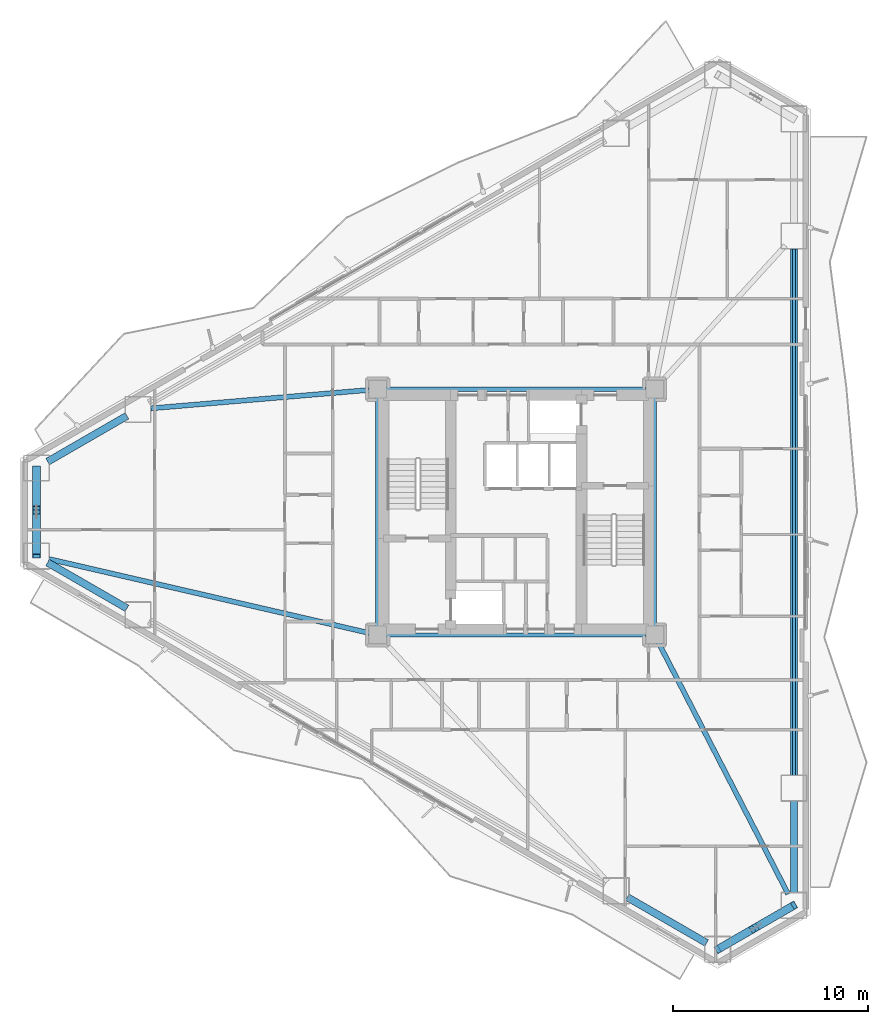
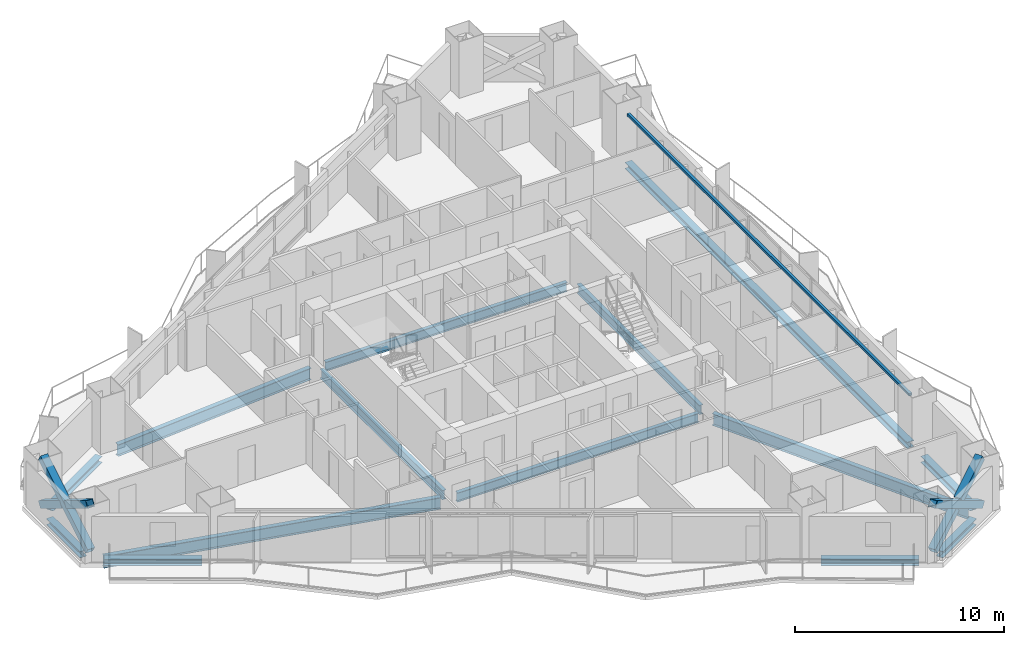
# One storey, part 5 of 19: 15 beams, 6 members.
"""IFC4 building model written with IfcOpenShell, lengths in metres."""

from ifc_helpers import new_model, si_unit, direction, frame, origin, origin_2d, place, context, subcontext, project, spatial, hollow_rectangle, i_section, extrude, material, material_profile, profile_set, type_object, element, save


model = new_model("IFC4")

# Units and contexts
model_context = context("Model", 3, precision=1e-05, world=origin(), true_north=direction((0.0, 1.0)))
body_context = subcontext(model_context, "Body", "Model", "MODEL_VIEW")
ifc_project = project(units=[si_unit("LENGTHUNIT", "METRE"), si_unit("AREAUNIT", "SQUARE_METRE"), si_unit("VOLUMEUNIT", "CUBIC_METRE"), si_unit("PLANEANGLEUNIT", "RADIAN"), si_unit("MASSUNIT", "GRAM", prefix="KILO")], contexts=[model_context])

# Site, building, storey
site_placement = place(None, origin())
site = spatial("IfcSite", under=ifc_project, at=site_placement, CompositionType="ELEMENT")
building_placement = place(site_placement, origin())
building = spatial("IfcBuilding", under=site, at=building_placement, Name="Mersakhor Tower and Convention Hall", CompositionType="ELEMENT")
storey_placement = place(building_placement, frame((0.0, 0.0, 29.10009765625)))
storey = spatial("IfcBuildingStorey", under=building, at=storey_placement, Name="L07", CompositionType="ELEMENT", Elevation=29.10009765625)

# Beams
ifc_material_1 = material(Name="Steel S355", Category="steel")
ifc_material_profile_1 = material_profile(ifc_material_1, i_section(OverallWidth=0.2099609375, OverallDepth=0.53662109375, WebThickness=0.0107421875, FlangeThickness=0.017333984375, at=origin_2d()), Name="UB 533x210x101")
ifc_profile_set_1 = profile_set([ifc_material_profile_1], Name="Steel S355")
beam_type_1 = type_object("IfcBeamType", Name="BM-FB-533", PredefinedType="BEAM", material=ifc_profile_set_1)
beam_1_placement = place(storey_placement, frame((21.89990234375, 20.8798828125, -0.528564453125), z_axis=(0.0, 1.0, 0.0), x_axis=(-1.0, 0.0, 0.0)))
element("IfcBeam", 1, at=beam_1_placement, inside=storey, type_object=beam_type_1, Name="L07 Core Ring Tie Beam CRB-1", PredefinedType="BEAM", context=body_context, shape_type="SweptSolid", body=[
    extrude(i_section(OverallWidth=0.2099609375, OverallDepth=0.53662109375, WebThickness=0.0107421875, FlangeThickness=0.017333984375, at=origin_2d()), origin(), (0.0, 0.0, 1.0), 11.740234375),
])
beam_2_placement = place(storey_placement, frame((22.330078125, 33.050048828125, -0.528564453125), z_axis=(1.0, 0.0, 0.0), x_axis=(0.0, 1.0, 0.0)))
element("IfcBeam", 2, at=beam_2_placement, inside=storey, type_object=beam_type_1, Name="L07 Core Ring Tie Beam CRB-2", PredefinedType="BEAM", context=body_context, shape_type="SweptSolid", body=[
    extrude(i_section(OverallWidth=0.2099609375, OverallDepth=0.53662109375, WebThickness=0.0107421875, FlangeThickness=0.017333984375, at=origin_2d()), origin(), (0.0, 0.0, 1.0), 13.33984375),
])
beam_3_placement = place(storey_placement, frame((36.10009765625, 32.6201171875, -0.528564453125), z_axis=(0.0, -1.0, 0.0), x_axis=(1.0, 0.0, 0.0)))
element("IfcBeam", 3, at=beam_3_placement, inside=storey, type_object=beam_type_1, Name="L07 Core Ring Tie Beam CRB-3", PredefinedType="BEAM", context=body_context, shape_type="SweptSolid", body=[
    extrude(i_section(OverallWidth=0.2099609375, OverallDepth=0.53662109375, WebThickness=0.0107421875, FlangeThickness=0.017333984375, at=origin_2d()), origin(), (0.0, 0.0, 1.0), 11.740234375),
])
beam_4_placement = place(storey_placement, frame((35.669921875, 20.449951171875, -0.528564453125), z_axis=(-1.0, 0.0, 0.0), x_axis=(0.0, -1.0, 0.0)))
element("IfcBeam", 4, at=beam_4_placement, inside=storey, type_object=beam_type_1, Name="L07 Core Ring Tie Beam CRB-4", PredefinedType="BEAM", context=body_context, shape_type="SweptSolid", body=[
    extrude(i_section(OverallWidth=0.2099609375, OverallDepth=0.53662109375, WebThickness=0.0107421875, FlangeThickness=0.017333984375, at=origin_2d()), origin(), (0.0, 0.0, 1.0), 13.33984375),
])
ifc_material_2 = material(Name="Steel S355", Category="steel")
ifc_material_profile_2 = material_profile(ifc_material_2, hollow_rectangle(XDim=0.14990234375, YDim=0.14990234375, WallThickness=0.010009765625, at=origin_2d()), Name="SHS 150x150x10")
ifc_profile_set_2 = profile_set([ifc_material_profile_2], Name="Steel S355")
beam_type_2 = type_object("IfcBeamType", Name="BM-GRT-SHS150", PredefinedType="USERDEFINED", material=ifc_profile_set_2)
beam_5_placement = place(storey_placement, frame((43.25, 40.24951171875, 2.47998046875), z_axis=(0.0, -1.0, 0.0), x_axis=(1.0, 0.0, 0.0)))
element("IfcBeam", 5, at=beam_5_placement, inside=storey, type_object=beam_type_2, Name="L07 Facade Support Girt GRT-F2", ObjectType="GIRT", PredefinedType="USERDEFINED", context=body_context, shape_type="SweptSolid", body=[
    extrude(hollow_rectangle(XDim=0.14990234375, YDim=0.14990234375, WallThickness=0.010009765625, at=origin_2d()), origin(), (0.0, 0.0, 1.0), 26.9990234375),
])
ifc_material_3 = material(Name="Steel S355", Category="steel")
ifc_material_profile_3 = material_profile(ifc_material_3, i_section(OverallWidth=0.25439453125, OverallDepth=0.6875, WebThickness=0.01318359375, FlangeThickness=0.02099609375, at=origin_2d()), Name="UB 686x254x152")
ifc_profile_set_3 = profile_set([ifc_material_profile_3], Name="Steel S355")
beam_type_3 = type_object("IfcBeamType", Name="BM-PR-686", PredefinedType="BEAM", material=ifc_profile_set_3)
beam_6_placement = place(storey_placement, frame((21.471435546875, 33.013916015625, -0.60400390625), z_axis=(-0.996458345442, -0.084087845732, 0.0), x_axis=(0.084087845732, -0.996458345442, 0.0)))
element("IfcBeam", 6, at=beam_6_placement, inside=storey, type_object=beam_type_3, Name="L07 Primary Floor Girder FG-1", PredefinedType="BEAM", context=body_context, shape_type="SweptSolid", body=[
    extrude(i_section(OverallWidth=0.25439453125, OverallDepth=0.6875, WebThickness=0.01318359375, FlangeThickness=0.02099609375, at=origin_2d()), origin(), (0.0, 0.0, 1.0), 11.241943359375),
])
beam_7_placement = place(storey_placement, frame((36.297119140625, 20.06787109375, -0.60400390625), z_axis=(0.458368239331, -0.888762373851, 0.0), x_axis=(0.888762373851, 0.458368239331, 0.0)))
element("IfcBeam", 7, at=beam_7_placement, inside=storey, type_object=beam_type_3, Name="L07 Primary Floor Girder FG-4", PredefinedType="BEAM", context=body_context, shape_type="SweptSolid", body=[
    extrude(i_section(OverallWidth=0.25439453125, OverallDepth=0.6875, WebThickness=0.01318359375, FlangeThickness=0.02099609375, at=origin_2d()), origin(), (0.0, 0.0, 1.0), 14.513671875),
])
beam_8_placement = place(storey_placement, frame((21.48095703125, 20.546875, -0.60400390625), z_axis=(-0.974327224334, 0.225136536175, 0.0), x_axis=(-0.225136536175, -0.974327224334, 0.0)))
element("IfcBeam", 8, at=beam_8_placement, inside=storey, type_object=beam_type_3, Name="L07 Primary Floor Girder FG-6", PredefinedType="BEAM", context=body_context, shape_type="SweptSolid", body=[
    extrude(i_section(OverallWidth=0.25439453125, OverallDepth=0.6875, WebThickness=0.01318359375, FlangeThickness=0.02099609375, at=origin_2d()), origin(), (0.0, 0.0, 1.0), 16.862548828125),
])
ifc_material_4 = material(Name="Steel S355", Category="steel")
ifc_material_profile_4 = material_profile(ifc_material_4, i_section(OverallWidth=0.374755859375, OverallDepth=0.37451171875, WebThickness=0.0166015625, FlangeThickness=0.027099609375, at=origin_2d()), Name="UC 356x368x202")
ifc_profile_set_4 = profile_set([ifc_material_profile_4], Name="Steel S355")
beam_type_4 = type_object("IfcBeamType", Name="BM-SPD-UC356", PredefinedType="SPANDREL", material=ifc_profile_set_4)
beam_9_placement = place(storey_placement, frame((4.980224609375, 29.3369140625, -0.447509765625), z_axis=(0.86605407247, 0.499950341091, 0.0), x_axis=(-0.499950341091, 0.86605407247, 0.0)))
element("IfcBeam", 9, at=beam_9_placement, inside=storey, type_object=beam_type_4, Name="L07 Perimeter Spandrel Beam SPB-01", PredefinedType="SPANDREL", context=body_context, shape_type="SweptSolid", body=[
    extrude(i_section(OverallWidth=0.374755859375, OverallDepth=0.37451171875, WebThickness=0.0166015625, FlangeThickness=0.027099609375, at=origin_2d()), origin(), (0.0, 0.0, 1.0), 4.69873046875),
])
beam_10_placement = place(storey_placement, frame((43.25, 40.24951171875, -0.447509765625), z_axis=(0.0, -1.0, 0.0), x_axis=(1.0, 0.0, 0.0)))
element("IfcBeam", 10, at=beam_10_placement, inside=storey, type_object=beam_type_4, Name="L07 Perimeter Spandrel Beam SPB-06", PredefinedType="SPANDREL", context=body_context, shape_type="SweptSolid", body=[
    extrude(i_section(OverallWidth=0.374755859375, OverallDepth=0.37451171875, WebThickness=0.0166015625, FlangeThickness=0.027099609375, at=origin_2d()), origin(), (0.0, 0.0, 1.0), 26.9990234375),
])
beam_11_placement = place(storey_placement, frame((43.25, 11.9404296875, -0.447509765625), z_axis=(0.0, -1.0, 0.0), x_axis=(1.0, 0.0, 0.0)))
element("IfcBeam", 11, at=beam_11_placement, inside=storey, type_object=beam_type_4, Name="L07 Perimeter Spandrel Beam SPB-07", PredefinedType="SPANDREL", context=body_context, shape_type="SweptSolid", body=[
    extrude(i_section(OverallWidth=0.374755859375, OverallDepth=0.37451171875, WebThickness=0.0166015625, FlangeThickness=0.027099609375, at=origin_2d()), origin(), (0.0, 0.0, 1.0), 4.69873046875),
])
beam_12_placement = place(storey_placement, frame((42.682861328125, 6.25927734375, -0.447509765625), z_axis=(-0.866038607556, -0.4999771297, 0.0), x_axis=(0.4999771297, -0.866038607556, 0.0)))
element("IfcBeam", 12, at=beam_12_placement, inside=storey, type_object=beam_type_4, Name="L07 Perimeter Spandrel Beam SPB-08", PredefinedType="SPANDREL", context=body_context, shape_type="SweptSolid", body=[
    extrude(i_section(OverallWidth=0.374755859375, OverallDepth=0.37451171875, WebThickness=0.0166015625, FlangeThickness=0.027099609375, at=origin_2d()), origin(), (0.0, 0.0, 1.0), 3.208740234375),
])
for number, where, z_axis, x_axis, name in (
    (13, (38.769775390625, 4.655029296875, -0.447509765625), (-0.866031574723, 0.499989311469, 0.0), (-0.499989311469, -0.866031574723, 0.0), "L07 Perimeter Spandrel Beam SPB-09"),
    (14, (9.049560546875, 21.81396484375, -0.447509765625), (-0.86605407247, 0.499950341091, 0.0), (-0.499950341091, -0.86605407247, 0.0), "L07 Perimeter Spandrel Beam SPB-11"),
):
    element("IfcBeam", number, at=place(storey_placement, frame(where, z_axis=z_axis, x_axis=x_axis)), inside=storey, type_object=beam_type_4, Name=name, PredefinedType="SPANDREL", context=body_context, shape_type="SweptSolid", body=[
        extrude(i_section(OverallWidth=0.374755859375, OverallDepth=0.37451171875, WebThickness=0.0166015625, FlangeThickness=0.027099609375, at=origin_2d()), origin(), (0.0, 0.0, 1.0), 4.69873046875),
    ])
beam_13_placement = place(storey_placement, frame((4.4130859375, 25.145751953125, -0.447509765625), z_axis=(0.0, 1.0, 0.0), x_axis=(-1.0, 0.0, 0.0)))
element("IfcBeam", 15, at=beam_13_placement, inside=storey, type_object=beam_type_4, Name="L07 Perimeter Spandrel Beam SPB-12", PredefinedType="SPANDREL", context=body_context, shape_type="SweptSolid", body=[
    extrude(i_section(OverallWidth=0.374755859375, OverallDepth=0.37451171875, WebThickness=0.0166015625, FlangeThickness=0.027099609375, at=origin_2d()), origin(), (0.0, 0.0, 1.0), 3.20849609375),
])

# Members
ifc_material_5 = material(Name="Steel S460", Category="steel")
ifc_material_profile_5 = material_profile(ifc_material_5, hollow_rectangle(XDim=0.39990234375, YDim=0.39990234375, WallThickness=0.02490234375, at=origin_2d()), Name="SHS 400x400x25")
ifc_profile_set_5 = profile_set([ifc_material_profile_5], Name="Steel S460")
member_type = type_object("IfcMemberType", Name="MB-BRC-SHS400", PredefinedType="BRACE", material=ifc_profile_set_5)
member_1_placement = place(storey_placement, frame((43.25, 6.586669921875, 0.14990234375), z_axis=(-0.740507772322, -0.427542982597, 0.518512523632), x_axis=(0.500009315796, -0.86602002524, 0.0)))
element("IfcMember", 16, at=member_1_placement, inside=storey, type_object=member_type, Name="L07 Chamfer Braced Frame Diagonal CB-2A", PredefinedType="BRACE", context=body_context, shape_type="SweptSolid", body=[
    extrude(hollow_rectangle(XDim=0.39990234375, YDim=0.39990234375, WallThickness=0.02490234375, at=origin_2d()), origin(), (0.0, 0.0, 1.0), 5.284423828125),
])
for number, where, z_axis, x_axis, name in (
    (17, (39.3369140625, 4.327392578125, 0.14990234375), (0.740512106644, 0.427623949895, 0.518439560017), (-0.500078132948, 0.865980289006, 0.0), "L07 Chamfer Braced Frame Diagonal CB-2B Lower Half"),
    (18, (41.46630859375, 5.556884765625, 1.64111328125), (0.740544200614, 0.427541122117, 0.51846202931), (-0.499989236795, 0.866031617834, 0.0), "L07 Chamfer Braced Frame Diagonal CB-2B Upper Half"),
):
    element("IfcMember", number, at=place(storey_placement, frame(where, z_axis=z_axis, x_axis=x_axis)), inside=storey, type_object=member_type, Name=name, PredefinedType="BRACE", context=body_context, shape_type="SweptSolid", body=[
        extrude(hollow_rectangle(XDim=0.39990234375, YDim=0.39990234375, WallThickness=0.02490234375, at=origin_2d()), origin(), (0.0, 0.0, 1.0), 2.40869140625),
    ])
member_2_placement = place(storey_placement, frame((4.4130859375, 24.49072265625, 0.14990234375), z_axis=(0.0, 0.855074317009, 0.51850546033), x_axis=(-1.0, 0.0, 0.0)))
element("IfcMember", 19, at=member_2_placement, inside=storey, type_object=member_type, Name="L07 Chamfer Braced Frame Diagonal CB-3A", PredefinedType="BRACE", context=body_context, shape_type="SweptSolid", body=[
    extrude(hollow_rectangle(XDim=0.39990234375, YDim=0.39990234375, WallThickness=0.02490234375, at=origin_2d()), origin(), (0.0, 0.0, 1.0), 5.284423828125),
])
for number, where, z_axis, x_axis, name in (
    (20, (4.4130859375, 29.00927734375, 0.14990234375), (0.0, -0.855095703444, 0.518470190032), (1.0, 0.0, 0.0), "L07 Chamfer Braced Frame Diagonal CB-3B Lower Half"),
    (21, (4.4130859375, 26.55029296875, 1.64111328125), (0.0, -0.855095703444, 0.518470190032), (1.0, 0.0, 0.0), "L07 Chamfer Braced Frame Diagonal CB-3B Upper Half"),
):
    element("IfcMember", number, at=place(storey_placement, frame(where, z_axis=z_axis, x_axis=x_axis)), inside=storey, type_object=member_type, Name=name, PredefinedType="BRACE", context=body_context, shape_type="SweptSolid", body=[
        extrude(hollow_rectangle(XDim=0.39990234375, YDim=0.39990234375, WallThickness=0.02490234375, at=origin_2d()), origin(), (0.0, 0.0, 1.0), 2.40869140625),
    ])

save(model, "model.ifc")
